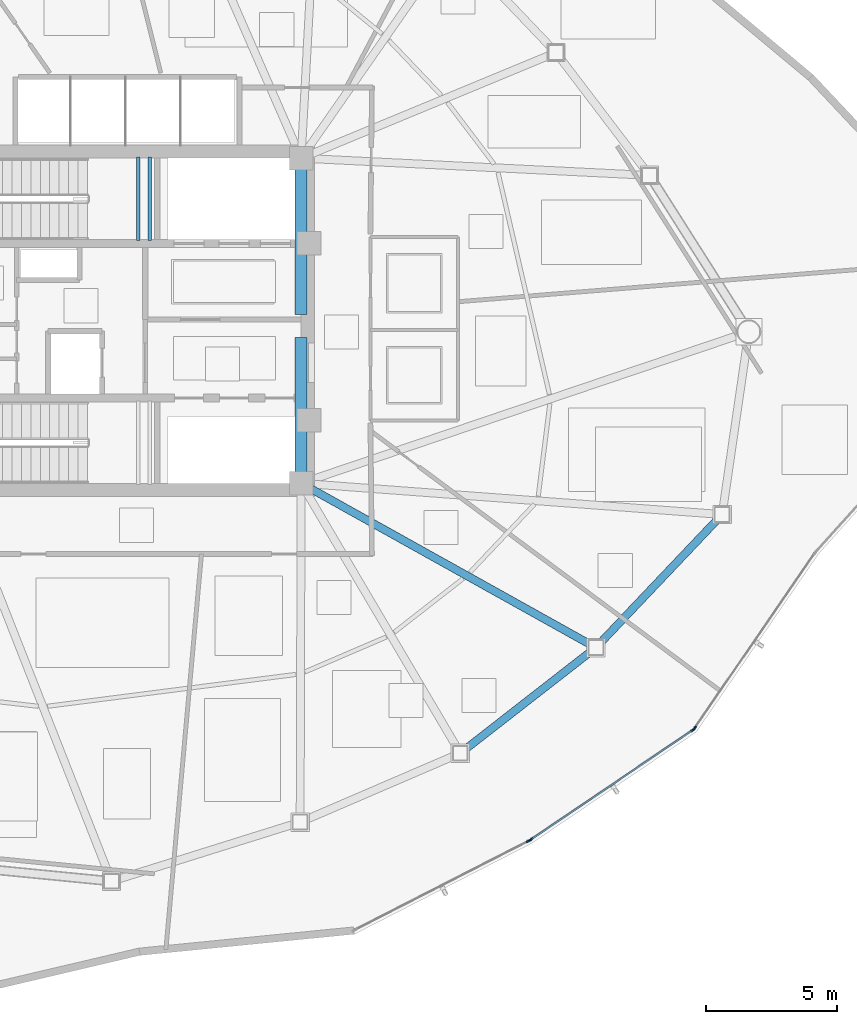
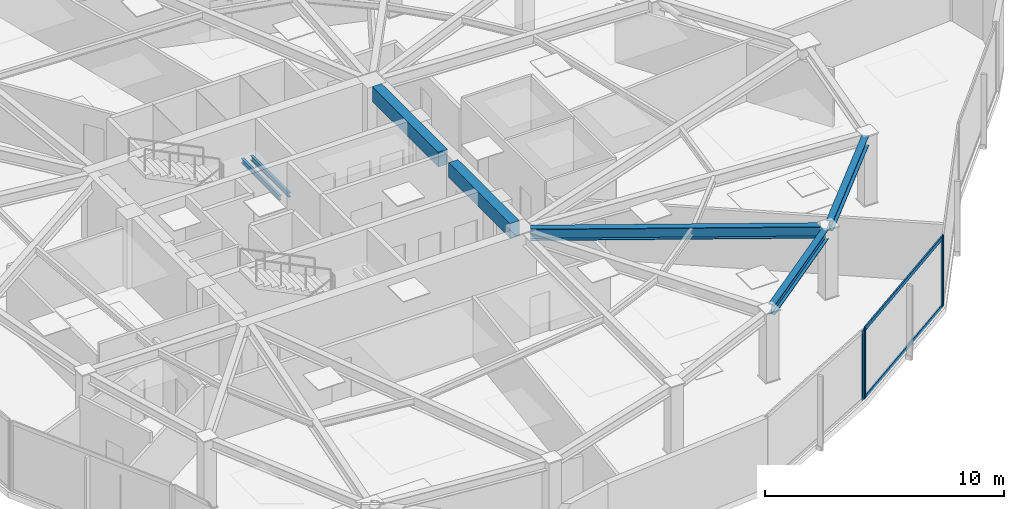
# One storey, part 5 of 17: 7 beams, 6 members, 3 elements without a shape of their own.
"""IFC4 building model written with IfcOpenShell, lengths in metres."""

import ifcopenshell
import ifcopenshell.guid

model = None  # the IFC model being written
_history = None  # IfcOwnerHistory: only IFC2X3 demands one
_inside = {}  # id of a spatial element -> (the spatial element, [elements in it])
_under = {}  # id of a project, library or spatial element -> (it, [spatial elements below it])
_declared = {}  # id of a project -> (the project, [libraries it declares])
_typed = {}  # id of a type object -> (the type object, [elements of that type])
_made_of = {}  # id of a material, layer set ... -> (it, [elements and type objects made of it])


def new_model(schema):
    """Start an empty IFC model of exactly this schema.

    Asked for "IFC4X3", IfcOpenShell would pick the latest addendum, in which some entities
    have other attributes; the version numbers below select the first issue.
    IFC2X3 requires an IfcOwnerHistory on every rooted entity: one is made here for all.
    """
    global model, _history
    if schema == "IFC4X3":
        model = ifcopenshell.file(schema_version=(4, 3, 0, 0))
    else:
        model = ifcopenshell.file(schema=schema)
    _inside.clear()
    _under.clear()
    _declared.clear()
    _typed.clear()
    _made_of.clear()
    _history = None
    if model.schema == "IFC2X3":
        org = make("IfcOrganization", Name="unknown")
        user = make(
            "IfcPersonAndOrganization",
            ThePerson=make("IfcPerson", FamilyName="unknown"),
            TheOrganization=org,
        )
        app = make(
            "IfcApplication",
            ApplicationDeveloper=org,
            Version="unknown",
            ApplicationFullName="unknown",
            ApplicationIdentifier="unknown",
        )
        _history = make(
            "IfcOwnerHistory",
            OwningUser=user,
            OwningApplication=app,
            ChangeAction="ADDED",
            CreationDate=0,
        )
    return model


def make(cls, **values):
    """One entity of the class cls with the attributes given. An attribute that is None is left unset."""
    return model.create_entity(
        cls, **{name: value for name, value in values.items() if value is not None}
    )


def rooted(cls, **values):
    """An entity with a GlobalId (a new one), such as an element, a storey or a relation."""
    return make(cls, GlobalId=ifcopenshell.guid.new(), OwnerHistory=_history, **values)


def si_unit(unit_type, name, prefix=None):
    """IfcSIUnit, for example si_unit("LENGTHUNIT", "METRE", prefix="MILLI")."""
    return make("IfcSIUnit", UnitType=unit_type, Prefix=prefix, Name=name)


def assignment(units):
    """IfcUnitAssignment: the units of a project."""
    return None if units is None else make("IfcUnitAssignment", Units=units)


def point(xyz):
    """IfcCartesianPoint."""
    return None if xyz is None else make("IfcCartesianPoint", Coordinates=xyz)


def direction(xyz):
    """IfcDirection."""
    return None if xyz is None else make("IfcDirection", DirectionRatios=xyz)


def frame(location, z_axis=None, x_axis=None):
    """IfcAxis2Placement3D, a coordinate frame: its origin and axes. An axis left out is left unset."""
    return make(
        "IfcAxis2Placement3D",
        Location=point(location),
        Axis=direction(z_axis),
        RefDirection=direction(x_axis),
    )


def frame_2d(location, x_axis=None):
    """IfcAxis2Placement2D, a coordinate frame in the plane: its origin and x axis."""
    return make(
        "IfcAxis2Placement2D", Location=point(location), RefDirection=direction(x_axis)
    )


def origin():
    """The frame at (0, 0, 0) with its axes left unset."""
    return frame((0.0, 0.0, 0.0))


def origin_2d():
    """The frame at (0, 0) in the plane with its x axis left unset."""
    return frame_2d((0.0, 0.0))


def place(relative_to, where):
    """IfcLocalPlacement: puts the frame where relative to a parent placement (None: the world)."""
    return make(
        "IfcLocalPlacement", PlacementRelTo=relative_to, RelativePlacement=where
    )


def context(
    kind, dimensions, precision=None, world=None, true_north=None, identifier=None
):
    """IfcGeometricRepresentationContext, for example the 3D "Model" context."""
    return make(
        "IfcGeometricRepresentationContext",
        ContextIdentifier=identifier,
        ContextType=kind,
        CoordinateSpaceDimension=dimensions,
        Precision=precision,
        WorldCoordinateSystem=world,
        TrueNorth=true_north,
    )


def subcontext(parent, identifier, kind, view, scale=None):
    """IfcGeometricRepresentationSubContext, for example "Body" below "Model"."""
    return make(
        "IfcGeometricRepresentationSubContext",
        ContextIdentifier=identifier,
        ContextType=kind,
        ParentContext=parent,
        TargetScale=scale,
        TargetView=view,
    )


def project(units=None, contexts=None):
    """IfcProject with its units and contexts."""
    return rooted(
        "IfcProject",
        Name="project",
        RepresentationContexts=contexts,
        UnitsInContext=assignment(units),
    )


def spatial(cls, under=None, at=None, **own):
    """A site, building, storey or space (cls), placed at a placement, below another one or the project."""
    s = rooted(cls, ObjectPlacement=at, **own)
    if under is not None:
        _under.setdefault(under.id(), (under, []))[1].append(s)
    return s


def profile(cls, at=None, kind="AREA", **sizes):
    """A parametric profile (cls). Its sizes go by their IFC names, for example OverallWidth=200.0."""
    return make(cls, ProfileType=kind, Position=at, **sizes)


def rectangle(**sizes):
    """IfcRectangleProfileDef."""
    return profile("IfcRectangleProfileDef", **sizes)


def hollow_rectangle(**sizes):
    """IfcRectangleHollowProfileDef."""
    return profile("IfcRectangleHollowProfileDef", **sizes)


def i_section(**sizes):
    """IfcIShapeProfileDef."""
    return profile("IfcIShapeProfileDef", **sizes)


def extrude(swept, where, along, depth):
    """IfcExtrudedAreaSolid: the profile swept, set in the frame where, extruded along a direction by depth."""
    return make(
        "IfcExtrudedAreaSolid",
        SweptArea=swept,
        Position=where,
        ExtrudedDirection=direction(along),
        Depth=depth,
    )


def shape(context_of_items, identifier, shape_type, items):
    """IfcShapeRepresentation: the items that make up one representation, for example the "Body"."""
    return make(
        "IfcShapeRepresentation",
        ContextOfItems=context_of_items,
        RepresentationIdentifier=identifier,
        RepresentationType=shape_type,
        Items=items,
    )


def source(mapping_origin, context_of_items, identifier, shape_type, items):
    """IfcRepresentationMap: a shape defined once, which mapped items show again and again."""
    return make(
        "IfcRepresentationMap",
        MappingOrigin=mapping_origin,
        MappedRepresentation=shape(context_of_items, identifier, shape_type, items),
    )


def transform(
    local_origin,
    x_axis=None,
    y_axis=None,
    z_axis=None,
    scale=None,
    scale2=None,
    scale3=None,
    uniform=True,
):
    """IfcCartesianTransformationOperator3D, or its non-uniform kind. x_axis, y_axis, z_axis: its Axis1, 2, 3."""
    if uniform:
        return make(
            "IfcCartesianTransformationOperator3D",
            Axis1=direction(x_axis),
            Axis2=direction(y_axis),
            LocalOrigin=point(local_origin),
            Scale=scale,
            Axis3=direction(z_axis),
        )
    return make(
        "IfcCartesianTransformationOperator3DnonUniform",
        Axis1=direction(x_axis),
        Axis2=direction(y_axis),
        LocalOrigin=point(local_origin),
        Scale=scale,
        Axis3=direction(z_axis),
        Scale2=scale2,
        Scale3=scale3,
    )


def mapped(mapping_source, mapping_target):
    """IfcMappedItem: shows the shape of a source again, moved by a transform."""
    return make(
        "IfcMappedItem", MappingSource=mapping_source, MappingTarget=mapping_target
    )


def material(Name=None, Category=None):
    """IfcMaterial."""
    return make("IfcMaterial", Name=Name, Category=Category)


def layer(
    of_material, thickness, ventilated=None, Name=None, Category=None, Priority=None
):
    """IfcMaterialLayer: one layer of a wall or slab, of a material (None: an air gap)."""
    return make(
        "IfcMaterialLayer",
        Material=of_material,
        LayerThickness=thickness,
        IsVentilated=ventilated,
        Name=Name,
        Category=Category,
        Priority=Priority,
    )


def layer_set(layers, Name=None):
    """IfcMaterialLayerSet."""
    return make("IfcMaterialLayerSet", MaterialLayers=layers, LayerSetName=Name)


def material_profile(
    of_material, cross_section, Name=None, Category=None, Priority=None
):
    """IfcMaterialProfile: a cross section and its material."""
    return make(
        "IfcMaterialProfile",
        Name=Name,
        Material=of_material,
        Profile=cross_section,
        Priority=Priority,
        Category=Category,
    )


def profile_set(profiles, Name=None, composite=None):
    """IfcMaterialProfileSet."""
    return make(
        "IfcMaterialProfileSet",
        Name=Name,
        MaterialProfiles=profiles,
        CompositeProfile=composite,
    )


def made_of(thing, what):
    """Note that an element or type object is made of a material, layer set ...; save() writes the relation."""
    if what is not None:
        _made_of.setdefault(what.id(), (what, []))[1].append(thing)
    return thing


def type_object(cls, material=None, **own):
    """A type object (cls), such as IfcWallType, which elements share."""
    return made_of(rooted(cls, **own), material)


def type_shapes(of_type, sources):
    """Give a type object the sources (RepresentationMaps) that its elements show as mapped items."""
    of_type.RepresentationMaps = sources


def element(
    cls,
    number,
    at=None,
    inside=None,
    cuts=None,
    type_object=None,
    material=None,
    context=None,
    identifier="Body",
    shape_type=None,
    held_by="IfcProductDefinitionShape",
    body=None,
    shapes=None,
    **own,
):
    """One element of the class cls, such as IfcWall. Its Tag is "e" and its number.

    at: its placement. inside: the storey or other place that contains it. cuts: it is an
    opening in that element (IfcRelVoidsElement). A single representation is given by context,
    identifier, shape_type and body (its items); several are given by shapes. held_by: the class
    of the entity that holds the representations. save() writes the other relations.
    """
    e = rooted(cls, Tag="e%d" % number, ObjectPlacement=at, **own)
    if body is not None:
        shapes = [shape(context, identifier, shape_type, body)]
    if shapes is not None:
        e.Representation = make(held_by, Representations=shapes)
    if inside is not None:
        _inside.setdefault(inside.id(), (inside, []))[1].append(e)
    if cuts is not None:
        rooted(
            "IfcRelVoidsElement", RelatingBuildingElement=cuts, RelatedOpeningElement=e
        )
    if type_object is not None:
        _typed.setdefault(type_object.id(), (type_object, []))[1].append(e)
    return made_of(e, material)


def aggregate(whole, parts):
    """IfcRelAggregates: a whole, such as a stair, and the parts it consists of."""
    return rooted("IfcRelAggregates", RelatingObject=whole, RelatedObjects=parts)


def save(model, path):
    """Write the relations noted so far, then the file.

    IfcRelAggregates (storeys below a building ...), IfcRelContainedInSpatialStructure (elements
    in a storey), IfcRelDefinesByType, IfcRelAssociatesMaterial and IfcRelDeclares: one each for
    every whole, place, type object, material and project.
    """
    for whole, parts in _under.values():
        aggregate(whole, parts)
    for where, things in _inside.values():
        rooted(
            "IfcRelContainedInSpatialStructure",
            RelatedElements=things,
            RelatingStructure=where,
        )
    for kind, things in _typed.values():
        rooted("IfcRelDefinesByType", RelatedObjects=things, RelatingType=kind)
    for what, things in _made_of.values():
        rooted("IfcRelAssociatesMaterial", RelatedObjects=things, RelatingMaterial=what)
    for by, libraries in _declared.values():
        rooted("IfcRelDeclares", RelatingContext=by, RelatedDefinitions=libraries)
    model.write(path)


model = new_model("IFC4")

# Units and contexts
model_context = context("Model", 3, precision=1e-05, world=origin(), true_north=direction((0.0, 1.0)))
body_context = subcontext(model_context, "Body", "Model", "MODEL_VIEW")
ifc_project = project(units=[si_unit("LENGTHUNIT", "METRE"), si_unit("AREAUNIT", "SQUARE_METRE"), si_unit("VOLUMEUNIT", "CUBIC_METRE"), si_unit("PLANEANGLEUNIT", "RADIAN"), si_unit("MASSUNIT", "GRAM", prefix="KILO")], contexts=[model_context])

# Site, building, storey
site_placement = place(None, origin())
site = spatial("IfcSite", under=ifc_project, at=site_placement, CompositionType="ELEMENT")
building_placement = place(site_placement, origin())
building = spatial("IfcBuilding", under=site, at=building_placement, Name="Tavelor Broadcast Tower", CompositionType="ELEMENT")
storey_placement = place(building_placement, frame((0.0, 0.0, 161.800048828125)))
storey = spatial("IfcBuildingStorey", under=building, at=storey_placement, Name="L38", CompositionType="ELEMENT", Elevation=161.800048828125)

# Beams
ifc_material_1 = material(Name="Concrete C40/50", Category="concrete")
ifc_material_profile_1 = material_profile(ifc_material_1, rectangle(XDim=0.449951171875, YDim=0.75, at=origin_2d()), Name="RC 450x750")
ifc_profile_set_1 = profile_set([ifc_material_profile_1], Name="Concrete C40/50")
beam_type_1 = type_object("IfcBeamType", Name="Basement Core Trim Beam 450x750", PredefinedType="BEAM", material=ifc_profile_set_1)
beam_1_placement = place(storey_placement, frame((56.60009765625, 45.23193359375, 3.175048828125), z_axis=(0.0, 1.0, 0.0), x_axis=(-1.0, 0.0, 0.0)))
element("IfcBeam", 1, at=beam_1_placement, inside=storey, type_object=beam_type_1, Name="L38 Core East-N Tie Girder", PredefinedType="BEAM", context=body_context, shape_type="SweptSolid", body=[
    extrude(rectangle(XDim=0.449951171875, YDim=0.75, at=origin_2d()), origin(), (0.0, 0.0, 1.0), 5.5361328125),
])
beam_2_placement = place(storey_placement, frame((56.60009765625, 39.23193359375, 3.175048828125), z_axis=(0.0, 1.0, 0.0), x_axis=(-1.0, 0.0, 0.0)))
element("IfcBeam", 2, at=beam_2_placement, inside=storey, type_object=beam_type_1, Name="L38 Core East-S Tie Girder", PredefinedType="BEAM", context=body_context, shape_type="SweptSolid", body=[
    extrude(rectangle(XDim=0.449951171875, YDim=0.75, at=origin_2d()), origin(), (0.0, 0.0, 1.0), 5.135986328125),
])
ifc_material_2 = material(Name="Steel S355", Category="steel")
ifc_material_profile_2 = material_profile(ifc_material_2, i_section(OverallWidth=0.300048828125, OverallDepth=0.5, WebThickness=0.014404296875, FlangeThickness=0.028076171875, at=origin_2d()), Name="HEB 500")
ifc_profile_set_2 = profile_set([ifc_material_profile_2], Name="Steel S355")
beam_type_2 = type_object("IfcBeamType", Name="Perimeter Spandrel Beam T4 HEB 500", PredefinedType="SPANDREL", material=ifc_profile_set_2)
beam_3_placement = place(storey_placement, frame((62.896484375, 28.68017578125, 3.300048828125), z_axis=(0.788978387361, 0.614420950389, 0.0), x_axis=(-0.614420950389, 0.788978387361, 0.0)))
element("IfcBeam", 3, at=beam_3_placement, inside=storey, type_object=beam_type_2, Name="L38 Framed-Tube Ring Spandrel 10", PredefinedType="SPANDREL", context=body_context, shape_type="SweptSolid", body=[
    extrude(i_section(OverallWidth=0.300048828125, OverallDepth=0.5, WebThickness=0.014404296875, FlangeThickness=0.028076171875, at=origin_2d()), origin(), (0.0, 0.0, 1.0), 5.98046875),
])
beam_4_placement = place(storey_placement, frame((68.04052734375, 32.74072265625, 3.300048828125), z_axis=(0.688387662899, 0.725342970993, 0.0), x_axis=(-0.725342970993, 0.688387662899, 0.0)))
element("IfcBeam", 4, at=beam_4_placement, inside=storey, type_object=beam_type_2, Name="L38 Framed-Tube Ring Spandrel 11", PredefinedType="SPANDREL", context=body_context, shape_type="SweptSolid", body=[
    extrude(i_section(OverallWidth=0.300048828125, OverallDepth=0.5, WebThickness=0.014404296875, FlangeThickness=0.028076171875, at=origin_2d()), origin(), (0.0, 0.0, 1.0), 6.42138671875),
])
ifc_material_profile_3 = material_profile(ifc_material_2, i_section(OverallWidth=0.300048828125, OverallDepth=0.590087890625, WebThickness=0.012939453125, FlangeThickness=0.02490234375, at=origin_2d()), Name="HEA 600")
ifc_profile_set_3 = profile_set([ifc_material_profile_3], Name="Steel S355")
beam_type_3 = type_object("IfcBeamType", Name="Radial Floor Girder T4 HEA 600", PredefinedType="BEAM", material=ifc_profile_set_3)
beam_5_placement = place(storey_placement, frame((56.977294921875, 38.589599609375, 3.2548828125), z_axis=(0.8734199139, -0.486967816187, 0.0), x_axis=(0.486967816187, 0.8734199139, 0.0)))
element("IfcBeam", 5, at=beam_5_placement, inside=storey, type_object=beam_type_3, Name="L38 Radial Primary Floor Girder 11", PredefinedType="BEAM", context=body_context, shape_type="SweptSolid", body=[
    extrude(i_section(OverallWidth=0.300048828125, OverallDepth=0.590087890625, WebThickness=0.012939453125, FlangeThickness=0.02490234375, at=origin_2d()), origin(), (0.0, 0.0, 1.0), 12.151611328125),
])
ifc_material_profile_4 = material_profile(ifc_material_2, i_section(OverallWidth=0.1201171875, OverallDepth=0.239990234375, WebThickness=0.006103515625, FlangeThickness=0.009765625, at=origin_2d()), Name="IPE 240")
ifc_profile_set_4 = profile_set([ifc_material_profile_4], Name="Steel S355")
beam_type_4 = type_object("IfcBeamType", Name="Stairwell Landing Support Trimmer Beam IPE240", PredefinedType="BEAM", material=ifc_profile_set_4)
for number, where, z_axis, x_axis, name in (
    (6, (50.385009765625, 48.06005859375, 1.60986328125), (0.0, 1.0, 0.0), (-1.0, 0.0, 0.0), "L38 Stair Landing Support Beam 109"),
    (7, (50.824951171875, 48.06005859375, 1.60986328125), (0.0, 1.0, 0.0), (-1.0, 0.0, 0.0), "L38 Stair Landing Support Beam 110"),
):
    element("IfcBeam", number, at=place(storey_placement, frame(where, z_axis=z_axis, x_axis=x_axis)), inside=storey, type_object=beam_type_4, Name=name, PredefinedType="BEAM", context=body_context, shape_type="SweptSolid", body=[
        extrude(i_section(OverallWidth=0.1201171875, OverallDepth=0.239990234375, WebThickness=0.006103515625, FlangeThickness=0.009765625, at=origin_2d()), origin(), (0.0, 0.0, 1.0), 3.179931640625),
    ])

# Curtain wall, member
ifc_material_3 = material(Name="Architectural Anodized Aluminium", Category="aluminium")
ifc_layer = layer(ifc_material_3, 0.18994140625)
ifc_layer_set = layer_set([ifc_layer], Name="Architectural Anodized Aluminium")
curtain_wall_type = type_object("IfcCurtainWallType", Name="Tower Mid-Zone Acoustic Curtain Wall CW03", PredefinedType="NOTDEFINED", material=ifc_layer_set)
curtain_wall_1_placement = place(storey_placement, origin())
curtain_wall_1 = element("IfcCurtainWall", 8, at=curtain_wall_1_placement, inside=storey, type_object=curtain_wall_type, Name="L38 Curtain Wall CW03 Run 401", PredefinedType="NOTDEFINED")
ifc_material_profile_5 = material_profile(ifc_material_3, hollow_rectangle(XDim=0.068115234375, YDim=0.18994140625, WallThickness=0.02197265625, at=origin_2d()), Name="RHS 68x190x22")
ifc_profile_set_5 = profile_set([ifc_material_profile_5], Name="Architectural Anodized Aluminium")
member_type_1 = type_object("IfcMemberType", Name="CW03 Extruded Aluminium Mullion 68x190", PredefinedType="MULLION", material=ifc_profile_set_5)
shared_shape_1 = source(origin(), body_context, "Body", "SweptSolid", [
    extrude(hollow_rectangle(XDim=0.068115234375, YDim=0.18994140625, WallThickness=0.02197265625, at=origin_2d()), origin(), (0.0, 0.0, 1.0), 3.550048828125),
])
type_shapes(member_type_1, [shared_shape_1])
member_1_placement = place(storey_placement, frame((65.278076171875, 25.157470703125, 0.0), z_axis=(0.0, 0.0, 1.0), x_axis=(-0.455935837939, 0.890012646923, 0.0)))
member_1 = element("IfcMember", 9, at=member_1_placement, type_object=member_type_1, Name="CW03 mullion 2", PredefinedType="MULLION", context=body_context, shape_type="MappedRepresentation", body=[
    mapped(shared_shape_1, transform((0.0, 0.0, 0.0), scale=1.0)),
])
aggregate(curtain_wall_1, [member_1])

# Curtain wall, members
curtain_wall_2_placement = place(storey_placement, origin())
curtain_wall_2 = element("IfcCurtainWall", 10, at=curtain_wall_2_placement, inside=storey, type_object=curtain_wall_type, Name="L38 Curtain Wall CW03 Run 402", PredefinedType="NOTDEFINED")
member_2_placement = place(storey_placement, frame((65.362060546875, 25.207275390625, 0.0), z_axis=(0.0, 0.0, 1.0), x_axis=(-0.560284963536, 0.828299921306, 0.0)))
member_2 = element("IfcMember", 11, at=member_2_placement, type_object=member_type_1, Name="CW03 mullion 1", PredefinedType="MULLION", context=body_context, shape_type="MappedRepresentation", body=[
    mapped(shared_shape_1, transform((0.0, 0.0, 0.0), scale=1.0)),
])
member_3_placement = place(storey_placement, frame((71.5380859375, 29.384765625, 0.0), z_axis=(0.0, 0.0, 1.0), x_axis=(-0.560284963536, 0.828299921306, 0.0)))
member_3 = element("IfcMember", 12, at=member_3_placement, type_object=member_type_1, Name="CW03 mullion 2", PredefinedType="MULLION", context=body_context, shape_type="MappedRepresentation", body=[
    mapped(shared_shape_1, transform((0.0, 0.0, 0.0), scale=1.0)),
])

# Curtain wall, member
curtain_wall_3_placement = place(storey_placement, origin())
curtain_wall_3 = element("IfcCurtainWall", 13, at=curtain_wall_3_placement, inside=storey, type_object=curtain_wall_type, Name="L38 Curtain Wall CW03 Run 403", PredefinedType="NOTDEFINED")
member_4_placement = place(storey_placement, frame((71.6064453125, 29.45263671875, 0.0), z_axis=(0.0, 0.0, 1.0), x_axis=(-0.824668446632, 0.565616436404, 0.0)))
member_4 = element("IfcMember", 14, at=member_4_placement, type_object=member_type_1, Name="CW03 mullion 1", PredefinedType="MULLION", context=body_context, shape_type="MappedRepresentation", body=[
    mapped(shared_shape_1, transform((0.0, 0.0, 0.0), scale=1.0)),
])
aggregate(curtain_wall_3, [member_4])

# Member
ifc_material_profile_6 = material_profile(ifc_material_3, hollow_rectangle(XDim=0.068115234375, YDim=0.18994140625, WallThickness=0.02197265625, at=origin_2d()), Name="RHS 68x190x22")
ifc_profile_set_6 = profile_set([ifc_material_profile_6], Name="Architectural Anodized Aluminium")
member_type_2 = type_object("IfcMemberType", Name="CW03 Extruded Aluminium Transom 68x190", PredefinedType="USERDEFINED", material=ifc_profile_set_6)
shared_shape_2 = source(origin(), body_context, "Body", "SweptSolid", [
    extrude(hollow_rectangle(XDim=0.068115234375, YDim=0.18994140625, WallThickness=0.02197265625, at=origin_2d()), origin(), (0.0, 0.0, 1.0), 7.38818359375),
])
type_shapes(member_type_2, [shared_shape_2])
member_5_placement = place(storey_placement, frame((65.390380859375, 25.226318359375, 0.033935546875), z_axis=(0.828305063335, 0.560277361719, 0.0), x_axis=(-0.560277361719, 0.828305063335, 0.0)))
member_5 = element("IfcMember", 15, at=member_5_placement, type_object=member_type_2, Name="CW03 transom 1.1", ObjectType="TRANSOM", PredefinedType="USERDEFINED", context=body_context, shape_type="MappedRepresentation", body=[
    mapped(shared_shape_2, transform((0.0, 0.0, 0.0), scale=1.0)),
])

member_6_placement = place(storey_placement, frame((65.390380859375, 25.226318359375, 3.515869140625), z_axis=(0.828305063335, 0.560277361719, 0.0), x_axis=(-0.560277361719, 0.828305063335, 0.0)))
member_6 = element("IfcMember", 16, at=member_6_placement, type_object=member_type_2, Name="CW03 transom 1.2", ObjectType="TRANSOM", PredefinedType="USERDEFINED", context=body_context, shape_type="MappedRepresentation", body=[
    mapped(shared_shape_2, transform((0.0, 0.0, 0.0), scale=1.0)),
])

aggregate(curtain_wall_2, [member_2, member_3, member_5, member_6])

save(model, "model.ifc")
